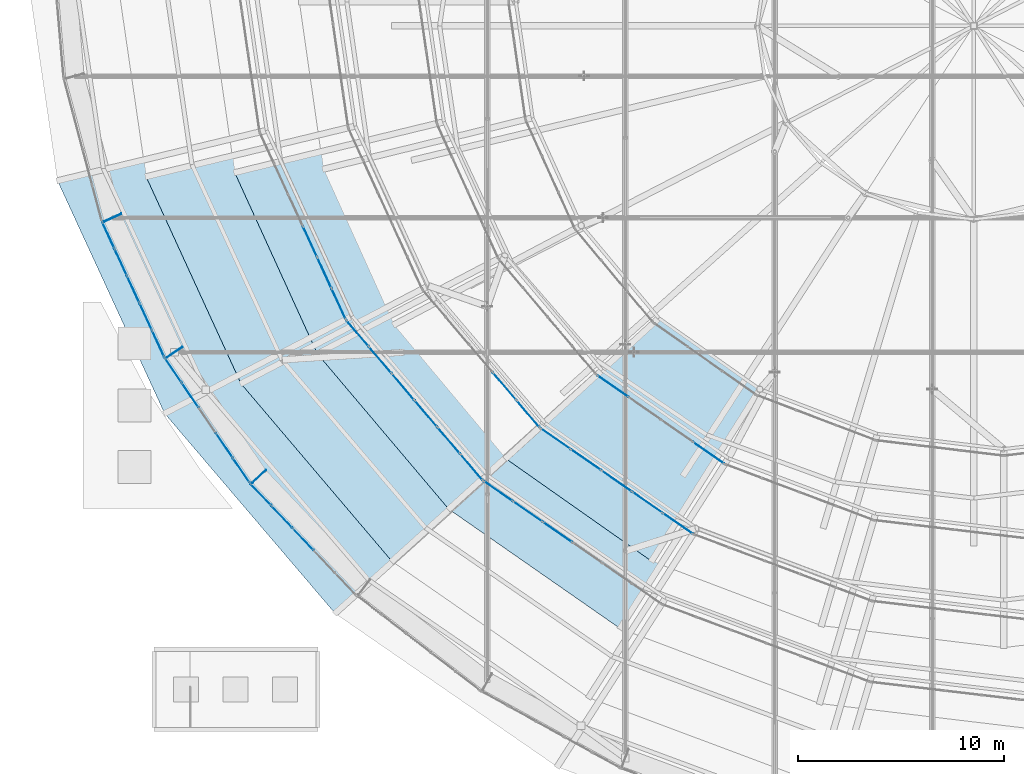
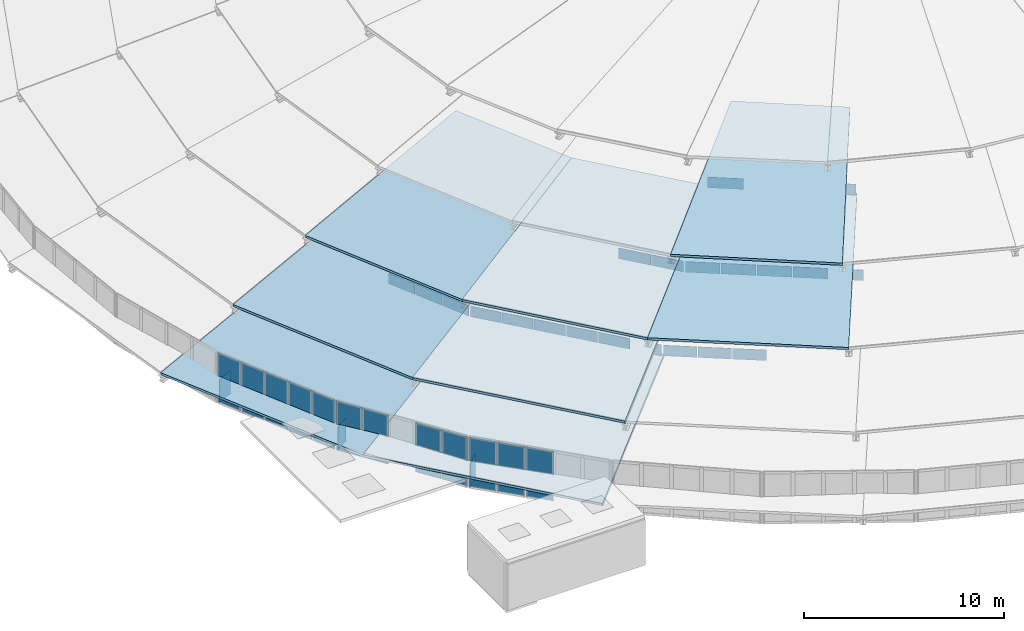
# One storey, part 142 of 173: 48 plates, 8 slabs, 13 elements without a shape of their own.
"""IFC4 building model written with IfcOpenShell, lengths in metres."""

from ifc_helpers import new_model, si_unit, direction, frame, origin, origin_2d, place, context, subcontext, project, spatial, polyline, rectangle, outline, extrude, material, layer, layer_set, type_object, element, aggregate, save


model = new_model("IFC4")

# Units and contexts
model_context = context("Model", 3, precision=1e-05, world=origin(), true_north=direction((0.0, 1.0)))
body_context = subcontext(model_context, "Body", "Model", "MODEL_VIEW")
ifc_project = project(units=[si_unit("LENGTHUNIT", "METRE"), si_unit("AREAUNIT", "SQUARE_METRE"), si_unit("VOLUMEUNIT", "CUBIC_METRE"), si_unit("PLANEANGLEUNIT", "RADIAN"), si_unit("MASSUNIT", "GRAM", prefix="KILO")], contexts=[model_context])

# Site, building, storey
site_placement = place(None, origin())
site = spatial("IfcSite", under=ifc_project, at=site_placement, CompositionType="ELEMENT")
building_placement = place(site_placement, origin())
building = spatial("IfcBuilding", under=site, at=building_placement, Name="Glasvene Arena", CompositionType="ELEMENT")
storey_placement = place(building_placement, frame((0.0, 0.0, 28.800048828125)))
storey = spatial("IfcBuildingStorey", under=building, at=storey_placement, Name="RF", CompositionType="ELEMENT", Elevation=28.800048828125)

# Curtain wall, plates
ifc_material_1 = material(Name="Low-emissivity laminated double glazing", Category="glass")
curtain_wall_type_1 = type_object("IfcCurtainWallType", Name="CW-PET1-1001x75", PredefinedType="USERDEFINED", material=ifc_material_1)
curtain_wall_1_placement = place(storey_placement, frame((51.575927734375, 63.242431640625, 0.0)))
curtain_wall_1 = element("IfcCurtainWall", 1, at=curtain_wall_1_placement, inside=storey, type_object=curtain_wall_type_1, Name="Petal ring 1-2 clerestory curtain wall 14", ObjectType="CURTAIN WALL", PredefinedType="USERDEFINED")
ifc_layer_1 = layer(ifc_material_1, 0.028076171875)
ifc_layer_set_1 = layer_set([ifc_layer_1], Name="Low-emissivity laminated double glazing")
plate_type_1 = type_object("IfcPlateType", Name="CW-GLZ-28", PredefinedType="CURTAIN_PANEL", material=ifc_layer_set_1)
plate_1_placement = place(storey_placement, frame((54.014892578125, 57.9384765625, 2.6298828125), z_axis=(0.0, 0.0, 1.0), x_axis=(0.41776127596, -0.908556831634, 0.0)))
plate_1 = element("IfcPlate", 2, at=plate_1_placement, type_object=plate_type_1, Name="CW-082 panel 4.1", PredefinedType="CURTAIN_PANEL", context=body_context, shape_type="SweptSolid", body=[
    extrude(rectangle(XDim=1.617919921875, YDim=0.028076171875, at=origin_2d()), origin(), (0.0, 0.0, 1.0), 0.64990234375),
])
plate_2_placement = place(storey_placement, frame((54.711669921875, 56.423095703125, 2.6298828125), z_axis=(0.0, 0.0, 1.0), x_axis=(0.41776127596, -0.908556831634, 0.0)))
plate_2 = element("IfcPlate", 3, at=plate_2_placement, type_object=plate_type_1, Name="CW-082 panel 5.1", PredefinedType="CURTAIN_PANEL", context=body_context, shape_type="SweptSolid", body=[
    extrude(rectangle(XDim=1.617919921875, YDim=0.028076171875, at=origin_2d()), origin(), (0.0, 0.0, 1.0), 0.64990234375),
])
plate_3_placement = place(storey_placement, frame((55.403076171875, 54.9189453125, 2.6298828125), z_axis=(0.0, 0.0, 1.0), x_axis=(0.41776127596, -0.908556831634, 0.0)))
plate_3 = element("IfcPlate", 4, at=plate_3_placement, type_object=plate_type_1, Name="CW-082 panel 6.1", PredefinedType="CURTAIN_PANEL", context=body_context, shape_type="SweptSolid", body=[
    extrude(rectangle(XDim=1.593017578125, YDim=0.028076171875, at=origin_2d()), origin(), (0.0, 0.0, 1.0), 0.64990234375),
])
aggregate(curtain_wall_1, [plate_1, plate_2, plate_3])

curtain_wall_type_2 = type_object("IfcCurtainWallType", Name="CW-PET1-1026x75", PredefinedType="USERDEFINED", material=ifc_material_1)
curtain_wall_2_placement = place(storey_placement, frame((55.7568359375, 54.14990234375, 0.0)))
curtain_wall_2 = element("IfcCurtainWall", 5, at=curtain_wall_2_placement, inside=storey, type_object=curtain_wall_type_2, Name="Petal ring 1-2 clerestory curtain wall 15", ObjectType="CURTAIN WALL", PredefinedType="USERDEFINED")
plate_4_placement = place(storey_placement, frame((56.319091796875, 53.48974609375, 2.6298828125), z_axis=(0.0, 0.0, 1.0), x_axis=(0.648445320272, -0.761261234149, 0.0)))
plate_4 = element("IfcPlate", 6, at=plate_4_placement, type_object=plate_type_1, Name="CW-083 panel 1.1", PredefinedType="CURTAIN_PANEL", context=body_context, shape_type="SweptSolid", body=[
    extrude(rectangle(XDim=1.634521484375, YDim=0.028076171875, at=origin_2d()), origin(), (0.0, 0.0, 1.0), 0.64990234375),
])
plate_5_placement = place(storey_placement, frame((57.41943359375, 52.197998046875, 2.6298828125), z_axis=(0.0, 0.0, 1.0), x_axis=(0.648445320272, -0.761261234149, 0.0)))
plate_5 = element("IfcPlate", 7, at=plate_5_placement, type_object=plate_type_1, Name="CW-083 panel 2.1", PredefinedType="CURTAIN_PANEL", context=body_context, shape_type="SweptSolid", body=[
    extrude(rectangle(XDim=1.659423828125, YDim=0.028076171875, at=origin_2d()), origin(), (0.0, 0.0, 1.0), 0.64990234375),
])
plate_6_placement = place(storey_placement, frame((58.528076171875, 50.896728515625, 2.6298828125), z_axis=(0.0, 0.0, 1.0), x_axis=(0.648445320272, -0.761261234149, 0.0)))
plate_6 = element("IfcPlate", 8, at=plate_6_placement, type_object=plate_type_1, Name="CW-083 panel 3.1", PredefinedType="CURTAIN_PANEL", context=body_context, shape_type="SweptSolid", body=[
    extrude(rectangle(XDim=1.659423828125, YDim=0.028076171875, at=origin_2d()), origin(), (0.0, 0.0, 1.0), 0.64990234375),
])
plate_7_placement = place(storey_placement, frame((59.636474609375, 49.595458984375, 2.6298828125), z_axis=(0.0, 0.0, 1.0), x_axis=(0.648445320272, -0.761261234149, 0.0)))
plate_7 = element("IfcPlate", 9, at=plate_7_placement, type_object=plate_type_1, Name="CW-083 panel 4.1", PredefinedType="CURTAIN_PANEL", context=body_context, shape_type="SweptSolid", body=[
    extrude(rectangle(XDim=1.659423828125, YDim=0.028076171875, at=origin_2d()), origin(), (0.0, 0.0, 1.0), 0.64990234375),
])
plate_8_placement = place(storey_placement, frame((60.744873046875, 48.294189453125, 2.6298828125), z_axis=(0.0, 0.0, 1.0), x_axis=(0.648445320272, -0.761261234149, 0.0)))
plate_8 = element("IfcPlate", 10, at=plate_8_placement, type_object=plate_type_1, Name="CW-083 panel 5.1", PredefinedType="CURTAIN_PANEL", context=body_context, shape_type="SweptSolid", body=[
    extrude(rectangle(XDim=1.659423828125, YDim=0.028076171875, at=origin_2d()), origin(), (0.0, 0.0, 1.0), 0.64990234375),
])
plate_9_placement = place(storey_placement, frame((61.84521484375, 47.002197265625, 2.6298828125), z_axis=(0.0, 0.0, 1.0), x_axis=(0.648445320272, -0.761261234149, 0.0)))
plate_9 = element("IfcPlate", 11, at=plate_9_placement, type_object=plate_type_1, Name="CW-083 panel 6.1", PredefinedType="CURTAIN_PANEL", context=body_context, shape_type="SweptSolid", body=[
    extrude(rectangle(XDim=1.634521484375, YDim=0.028076171875, at=origin_2d()), origin(), (0.0, 0.0, 1.0), 0.64990234375),
])
aggregate(curtain_wall_2, [plate_4, plate_5, plate_6, plate_7, plate_8, plate_9])

curtain_wall_type_3 = type_object("IfcCurtainWallType", Name="CW-PET1-1054x75", PredefinedType="USERDEFINED", material=ifc_material_1)
curtain_wall_3_placement = place(storey_placement, frame((62.40771484375, 46.342041015625, 0.0)))
curtain_wall_3 = element("IfcCurtainWall", 12, at=curtain_wall_3_placement, inside=storey, type_object=curtain_wall_type_3, Name="Petal ring 1-2 clerestory curtain wall 16", ObjectType="CURTAIN WALL", PredefinedType="USERDEFINED")
plate_10_placement = place(storey_placement, frame((63.14013671875, 45.835693359375, 2.6298828125), z_axis=(0.0, 0.0, 1.0), x_axis=(0.822600954666, -0.568619089886, 0.0)))
plate_10 = element("IfcPlate", 13, at=plate_10_placement, type_object=plate_type_1, Name="CW-084 panel 1.1", PredefinedType="CURTAIN_PANEL", context=body_context, shape_type="SweptSolid", body=[
    extrude(rectangle(XDim=1.68115234375, YDim=0.028076171875, at=origin_2d()), origin(), (0.0, 0.0, 1.0), 0.64990234375),
])
plate_11_placement = place(storey_placement, frame((64.574462890625, 44.84423828125, 2.6298828125), z_axis=(0.0, 0.0, 1.0), x_axis=(0.822600954666, -0.568619089886, 0.0)))
plate_11 = element("IfcPlate", 14, at=plate_11_placement, type_object=plate_type_1, Name="CW-084 panel 2.1", PredefinedType="CURTAIN_PANEL", context=body_context, shape_type="SweptSolid", body=[
    extrude(rectangle(XDim=1.7060546875, YDim=0.028076171875, at=origin_2d()), origin(), (0.0, 0.0, 1.0), 0.64990234375),
])
plate_12_placement = place(storey_placement, frame((66.01904296875, 43.845703125, 2.6298828125), z_axis=(0.0, 0.0, 1.0), x_axis=(0.822600954666, -0.568619089886, 0.0)))
plate_12 = element("IfcPlate", 15, at=plate_12_placement, type_object=plate_type_1, Name="CW-084 panel 3.1", PredefinedType="CURTAIN_PANEL", context=body_context, shape_type="SweptSolid", body=[
    extrude(rectangle(XDim=1.7060546875, YDim=0.028076171875, at=origin_2d()), origin(), (0.0, 0.0, 1.0), 0.64990234375),
])
aggregate(curtain_wall_3, [plate_10, plate_11, plate_12])

curtain_wall_type_4 = type_object("IfcCurtainWallType", Name="CW-PET2-882x75", PredefinedType="USERDEFINED", material=ifc_material_1)
curtain_wall_4_placement = place(storey_placement, frame((59.459716796875, 55.625, 0.0)))
curtain_wall_4 = element("IfcCurtainWall", 16, at=curtain_wall_4_placement, inside=storey, type_object=curtain_wall_type_4, Name="Petal ring 2-3 clerestory curtain wall 15", ObjectType="CURTAIN WALL", PredefinedType="USERDEFINED")
plate_13_placement = place(storey_placement, frame((63.453369140625, 50.920654296875, 5.22998046875), z_axis=(0.0, 0.0, 1.0), x_axis=(0.647166893632, -0.762348353305, 0.0)))
plate_13 = element("IfcPlate", 17, at=plate_13_placement, type_object=plate_type_1, Name="CW-089 panel 4.1", PredefinedType="CURTAIN_PANEL", context=body_context, shape_type="SweptSolid", body=[
    extrude(rectangle(XDim=1.713134765625, YDim=0.028076171875, at=origin_2d()), origin(), (0.0, 0.0, 1.0), 0.64990234375),
])
plate_14_placement = place(storey_placement, frame((64.586181640625, 49.5859375, 5.22998046875), z_axis=(0.0, 0.0, 1.0), x_axis=(0.647166893632, -0.762348353305, 0.0)))
plate_14 = element("IfcPlate", 18, at=plate_14_placement, type_object=plate_type_1, Name="CW-089 panel 5.1", PredefinedType="CURTAIN_PANEL", context=body_context, shape_type="SweptSolid", body=[
    extrude(rectangle(XDim=1.688232421875, YDim=0.028076171875, at=origin_2d()), origin(), (0.0, 0.0, 1.0), 0.64990234375),
])
aggregate(curtain_wall_4, [plate_13, plate_14])

curtain_wall_type_5 = type_object("IfcCurtainWallType", Name="CW-PET2-905x75", PredefinedType="USERDEFINED", material=ifc_material_1)
curtain_wall_5_placement = place(storey_placement, frame((65.164794921875, 48.904296875, 0.0)))
curtain_wall_5 = element("IfcCurtainWall", 19, at=curtain_wall_5_placement, inside=storey, type_object=curtain_wall_type_5, Name="Petal ring 2-3 clerestory curtain wall 16", ObjectType="CURTAIN WALL", PredefinedType="USERDEFINED")
plate_15_placement = place(storey_placement, frame((65.918701171875, 48.381591796875, 5.22998046875), z_axis=(0.0, 0.0, 1.0), x_axis=(0.821699335018, -0.569921225109, 0.0)))
plate_15 = element("IfcPlate", 20, at=plate_15_placement, type_object=plate_type_1, Name="CW-090 panel 1.1", PredefinedType="CURTAIN_PANEL", context=body_context, shape_type="SweptSolid", body=[
    extrude(rectangle(XDim=1.734619140625, YDim=0.028076171875, at=origin_2d()), origin(), (0.0, 0.0, 1.0), 0.64990234375),
])
plate_16_placement = place(storey_placement, frame((67.3955078125, 47.357421875, 5.22998046875), z_axis=(0.0, 0.0, 1.0), x_axis=(0.821699335018, -0.569921225109, 0.0)))
plate_16 = element("IfcPlate", 21, at=plate_16_placement, type_object=plate_type_1, Name="CW-090 panel 2.1", PredefinedType="CURTAIN_PANEL", context=body_context, shape_type="SweptSolid", body=[
    extrude(rectangle(XDim=1.759765625, YDim=0.028076171875, at=origin_2d()), origin(), (0.0, 0.0, 1.0), 0.64990234375),
])
plate_17_placement = place(storey_placement, frame((68.882568359375, 46.325927734375, 5.22998046875), z_axis=(0.0, 0.0, 1.0), x_axis=(0.821699335018, -0.569921225109, 0.0)))
plate_17 = element("IfcPlate", 22, at=plate_17_placement, type_object=plate_type_1, Name="CW-090 panel 3.1", PredefinedType="CURTAIN_PANEL", context=body_context, shape_type="SweptSolid", body=[
    extrude(rectangle(XDim=1.759765625, YDim=0.028076171875, at=origin_2d()), origin(), (0.0, 0.0, 1.0), 0.64990234375),
])
plate_18_placement = place(storey_placement, frame((70.369384765625, 45.294677734375, 5.22998046875), z_axis=(0.0, 0.0, 1.0), x_axis=(0.821699335018, -0.569921225109, 0.0)))
plate_18 = element("IfcPlate", 23, at=plate_18_placement, type_object=plate_type_1, Name="CW-090 panel 4.1", PredefinedType="CURTAIN_PANEL", context=body_context, shape_type="SweptSolid", body=[
    extrude(rectangle(XDim=1.759765625, YDim=0.028076171875, at=origin_2d()), origin(), (0.0, 0.0, 1.0), 0.64990234375),
])
plate_19_placement = place(storey_placement, frame((71.84619140625, 44.270263671875, 5.22998046875), z_axis=(0.0, 0.0, 1.0), x_axis=(0.821699335018, -0.569921225109, 0.0)))
plate_19 = element("IfcPlate", 24, at=plate_19_placement, type_object=plate_type_1, Name="CW-090 panel 5.1", PredefinedType="CURTAIN_PANEL", context=body_context, shape_type="SweptSolid", body=[
    extrude(rectangle(XDim=1.734619140625, YDim=0.028076171875, at=origin_2d()), origin(), (0.0, 0.0, 1.0), 0.64990234375),
])
aggregate(curtain_wall_5, [plate_15, plate_16, plate_17, plate_18, plate_19])

curtain_wall_type_6 = type_object("IfcCurtainWallType", Name="CW-PET3-756x75", PredefinedType="USERDEFINED", material=ifc_material_1)
curtain_wall_6_placement = place(storey_placement, frame((67.922119140625, 51.466796875, 0.0)))
curtain_wall_6 = element("IfcCurtainWall", 25, at=curtain_wall_6_placement, inside=storey, type_object=curtain_wall_type_6, Name="Petal ring 3-4 clerestory curtain wall 16", ObjectType="CURTAIN WALL", PredefinedType="USERDEFINED")
plate_20_placement = place(storey_placement, frame((68.707763671875, 50.919189453125, 7.8798828125), z_axis=(0.0, 0.0, 1.0), x_axis=(0.82043313701, -0.571742483725, 0.0)))
plate_20 = element("IfcPlate", 26, at=plate_20_placement, type_object=plate_type_1, Name="CW-096 panel 1.1", PredefinedType="CURTAIN_PANEL", context=body_context, shape_type="SweptSolid", body=[
    extrude(rectangle(XDim=1.815185546875, YDim=0.028076171875, at=origin_2d()), origin(), (0.0, 0.0, 1.0), 0.64990234375),
])
plate_21_placement = place(storey_placement, frame((73.33935546875, 47.691650390625, 7.8798828125), z_axis=(0.0, 0.0, 1.0), x_axis=(0.82043313701, -0.571742483725, 0.0)))
plate_21 = element("IfcPlate", 27, at=plate_21_placement, type_object=plate_type_1, Name="CW-096 panel 4.1", PredefinedType="CURTAIN_PANEL", context=body_context, shape_type="SweptSolid", body=[
    extrude(rectangle(XDim=1.815185546875, YDim=0.028076171875, at=origin_2d()), origin(), (0.0, 0.0, 1.0), 0.64990234375),
])
aggregate(curtain_wall_6, [plate_20, plate_21])

curtain_wall_type_7 = type_object("IfcCurtainWallType", Name="CW-DRUM-727x310", PredefinedType="USERDEFINED", material=ifc_material_1)
curtain_wall_7_placement = place(storey_placement, frame((43.924072265625, 58.92431640625, 0.0)))
curtain_wall_7 = element("IfcCurtainWall", 28, at=curtain_wall_7_placement, inside=storey, type_object=curtain_wall_type_7, Name="Crown compression-ring fascia curtain wall 23", ObjectType="CURTAIN WALL", PredefinedType="USERDEFINED")
ifc_material_2 = material(Name="Insulated shadow-box spandrel panel")
ifc_layer_2 = layer(ifc_material_2, 0.02392578125)
ifc_layer_set_2 = layer_set([ifc_layer_2], Name="Insulated shadow-box spandrel panel")
plate_type_2 = type_object("IfcPlateType", Name="CW-SPN-24", PredefinedType="CURTAIN_PANEL", material=ifc_layer_set_2)
plate_22_placement = place(storey_placement, frame((44.23291015625, 58.252685546875, -1.330078125), z_axis=(0.0, 0.0, 1.0), x_axis=(0.417660752738, -0.908603046232, 0.0)))
plate_22 = element("IfcPlate", 29, at=plate_22_placement, type_object=plate_type_2, Name="CW-073 panel 1.1", PredefinedType="CURTAIN_PANEL", context=body_context, shape_type="SweptSolid", body=[
    extrude(rectangle(XDim=1.378662109375, YDim=0.02392578125, at=origin_2d()), origin(), (0.0, 0.0, 1.0), 1.324951171875),
])
plate_23_placement = place(storey_placement, frame((44.23291015625, 58.252685546875, 0.044921875), z_axis=(0.0, 0.0, 1.0), x_axis=(0.417660752738, -0.908603046232, 0.0)))
plate_23 = element("IfcPlate", 30, at=plate_23_placement, type_object=plate_type_2, Name="CW-073 panel 1.2", PredefinedType="CURTAIN_PANEL", context=body_context, shape_type="SweptSolid", body=[
    extrude(rectangle(XDim=1.378662109375, YDim=0.02392578125, at=origin_2d()), origin(), (0.0, 0.0, 1.0), 1.625),
])
plate_24_placement = place(storey_placement, frame((44.834716796875, 56.943115234375, -1.330078125), z_axis=(0.0, 0.0, 1.0), x_axis=(0.417660752738, -0.908603046232, 0.0)))
plate_24 = element("IfcPlate", 31, at=plate_24_placement, type_object=plate_type_2, Name="CW-073 panel 2.1", PredefinedType="CURTAIN_PANEL", context=body_context, shape_type="SweptSolid", body=[
    extrude(rectangle(XDim=1.403564453125, YDim=0.02392578125, at=origin_2d()), origin(), (0.0, 0.0, 1.0), 1.324951171875),
])
plate_25_placement = place(storey_placement, frame((44.834716796875, 56.943115234375, 0.044921875), z_axis=(0.0, 0.0, 1.0), x_axis=(0.417660752738, -0.908603046232, 0.0)))
plate_25 = element("IfcPlate", 32, at=plate_25_placement, type_object=plate_type_2, Name="CW-073 panel 2.2", PredefinedType="CURTAIN_PANEL", context=body_context, shape_type="SweptSolid", body=[
    extrude(rectangle(XDim=1.403564453125, YDim=0.02392578125, at=origin_2d()), origin(), (0.0, 0.0, 1.0), 1.625),
])
plate_26_placement = place(storey_placement, frame((45.44189453125, 55.62255859375, -1.330078125), z_axis=(0.0, 0.0, 1.0), x_axis=(0.417660752738, -0.908603046232, 0.0)))
plate_26 = element("IfcPlate", 33, at=plate_26_placement, type_object=plate_type_2, Name="CW-073 panel 3.1", PredefinedType="CURTAIN_PANEL", context=body_context, shape_type="SweptSolid", body=[
    extrude(rectangle(XDim=1.403564453125, YDim=0.02392578125, at=origin_2d()), origin(), (0.0, 0.0, 1.0), 1.324951171875),
])
plate_27_placement = place(storey_placement, frame((45.44189453125, 55.62255859375, 0.044921875), z_axis=(0.0, 0.0, 1.0), x_axis=(0.417660752738, -0.908603046232, 0.0)))
plate_27 = element("IfcPlate", 34, at=plate_27_placement, type_object=plate_type_2, Name="CW-073 panel 3.2", PredefinedType="CURTAIN_PANEL", context=body_context, shape_type="SweptSolid", body=[
    extrude(rectangle(XDim=1.403564453125, YDim=0.02392578125, at=origin_2d()), origin(), (0.0, 0.0, 1.0), 1.625),
])
plate_28_placement = place(storey_placement, frame((46.048828125, 54.3017578125, -1.330078125), z_axis=(0.0, 0.0, 1.0), x_axis=(0.417660752738, -0.908603046232, 0.0)))
plate_28 = element("IfcPlate", 35, at=plate_28_placement, type_object=plate_type_2, Name="CW-073 panel 4.1", PredefinedType="CURTAIN_PANEL", context=body_context, shape_type="SweptSolid", body=[
    extrude(rectangle(XDim=1.403564453125, YDim=0.02392578125, at=origin_2d()), origin(), (0.0, 0.0, 1.0), 1.324951171875),
])
plate_29_placement = place(storey_placement, frame((46.048828125, 54.3017578125, 0.044921875), z_axis=(0.0, 0.0, 1.0), x_axis=(0.417660752738, -0.908603046232, 0.0)))
plate_29 = element("IfcPlate", 36, at=plate_29_placement, type_object=plate_type_2, Name="CW-073 panel 4.2", PredefinedType="CURTAIN_PANEL", context=body_context, shape_type="SweptSolid", body=[
    extrude(rectangle(XDim=1.403564453125, YDim=0.02392578125, at=origin_2d()), origin(), (0.0, 0.0, 1.0), 1.625),
])
plate_30_placement = place(storey_placement, frame((46.65087890625, 52.992431640625, -1.330078125), z_axis=(0.0, 0.0, 1.0), x_axis=(0.417660752738, -0.908603046232, 0.0)))
plate_30 = element("IfcPlate", 37, at=plate_30_placement, type_object=plate_type_2, Name="CW-073 panel 5.1", PredefinedType="CURTAIN_PANEL", context=body_context, shape_type="SweptSolid", body=[
    extrude(rectangle(XDim=1.378662109375, YDim=0.02392578125, at=origin_2d()), origin(), (0.0, 0.0, 1.0), 1.324951171875),
])
plate_31_placement = place(storey_placement, frame((46.65087890625, 52.992431640625, 0.044921875), z_axis=(0.0, 0.0, 1.0), x_axis=(0.417660752738, -0.908603046232, 0.0)))
plate_31 = element("IfcPlate", 38, at=plate_31_placement, type_object=plate_type_2, Name="CW-073 panel 5.2", PredefinedType="CURTAIN_PANEL", context=body_context, shape_type="SweptSolid", body=[
    extrude(rectangle(XDim=1.378662109375, YDim=0.02392578125, at=origin_2d()), origin(), (0.0, 0.0, 1.0), 1.625),
])
aggregate(curtain_wall_7, [plate_22, plate_23, plate_24, plate_25, plate_26, plate_27, plate_28, plate_29, plate_30, plate_31])

curtain_wall_type_8 = type_object("IfcCurtainWallType", Name="CW-DRUM-737x310", PredefinedType="USERDEFINED", material=ifc_material_1)
curtain_wall_8_placement = place(storey_placement, frame((46.959716796875, 52.32080078125, 0.0)))
curtain_wall_8 = element("IfcCurtainWall", 39, at=curtain_wall_8_placement, inside=storey, type_object=curtain_wall_type_8, Name="Crown compression-ring fascia curtain wall 24", ObjectType="CURTAIN WALL", PredefinedType="USERDEFINED")
plate_32_placement = place(storey_placement, frame((47.381103515625, 51.700927734375, -1.330078125), z_axis=(0.0, 0.0, 1.0), x_axis=(0.56235418457, -0.826896469394, 0.0)))
plate_32 = element("IfcPlate", 40, at=plate_32_placement, type_object=plate_type_2, Name="CW-074 panel 1.1", PredefinedType="CURTAIN_PANEL", context=body_context, shape_type="SweptSolid", body=[
    extrude(rectangle(XDim=1.39892578125, YDim=0.02392578125, at=origin_2d()), origin(), (0.0, 0.0, 1.0), 1.324951171875),
])
plate_33_placement = place(storey_placement, frame((47.381103515625, 51.700927734375, 0.044921875), z_axis=(0.0, 0.0, 1.0), x_axis=(0.56235418457, -0.826896469394, 0.0)))
plate_33 = element("IfcPlate", 41, at=plate_33_placement, type_object=plate_type_2, Name="CW-074 panel 1.2", PredefinedType="CURTAIN_PANEL", context=body_context, shape_type="SweptSolid", body=[
    extrude(rectangle(XDim=1.39892578125, YDim=0.02392578125, at=origin_2d()), origin(), (0.0, 0.0, 1.0), 1.625),
])
plate_34_placement = place(storey_placement, frame((48.202880859375, 50.492431640625, -1.330078125), z_axis=(0.0, 0.0, 1.0), x_axis=(0.56235418457, -0.826896469394, 0.0)))
plate_34 = element("IfcPlate", 42, at=plate_34_placement, type_object=plate_type_2, Name="CW-074 panel 2.1", PredefinedType="CURTAIN_PANEL", context=body_context, shape_type="SweptSolid", body=[
    extrude(rectangle(XDim=1.424072265625, YDim=0.02392578125, at=origin_2d()), origin(), (0.0, 0.0, 1.0), 1.324951171875),
])
plate_35_placement = place(storey_placement, frame((48.202880859375, 50.492431640625, 0.044921875), z_axis=(0.0, 0.0, 1.0), x_axis=(0.56235418457, -0.826896469394, 0.0)))
plate_35 = element("IfcPlate", 43, at=plate_35_placement, type_object=plate_type_2, Name="CW-074 panel 2.2", PredefinedType="CURTAIN_PANEL", context=body_context, shape_type="SweptSolid", body=[
    extrude(rectangle(XDim=1.424072265625, YDim=0.02392578125, at=origin_2d()), origin(), (0.0, 0.0, 1.0), 1.625),
])
plate_36_placement = place(storey_placement, frame((49.86083984375, 48.0546875, -1.330078125), z_axis=(0.0, 0.0, 1.0), x_axis=(0.56235418457, -0.826896469394, 0.0)))
plate_36 = element("IfcPlate", 44, at=plate_36_placement, type_object=plate_type_2, Name="CW-074 panel 4.1", PredefinedType="CURTAIN_PANEL", context=body_context, shape_type="SweptSolid", body=[
    extrude(rectangle(XDim=1.424072265625, YDim=0.02392578125, at=origin_2d()), origin(), (0.0, 0.0, 1.0), 1.324951171875),
])
plate_37_placement = place(storey_placement, frame((49.86083984375, 48.0546875, 0.044921875), z_axis=(0.0, 0.0, 1.0), x_axis=(0.56235418457, -0.826896469394, 0.0)))
plate_37 = element("IfcPlate", 45, at=plate_37_placement, type_object=plate_type_2, Name="CW-074 panel 4.2", PredefinedType="CURTAIN_PANEL", context=body_context, shape_type="SweptSolid", body=[
    extrude(rectangle(XDim=1.424072265625, YDim=0.02392578125, at=origin_2d()), origin(), (0.0, 0.0, 1.0), 1.625),
])
plate_38_placement = place(storey_placement, frame((50.6826171875, 46.84619140625, -1.330078125), z_axis=(0.0, 0.0, 1.0), x_axis=(0.56235418457, -0.826896469394, 0.0)))
plate_38 = element("IfcPlate", 46, at=plate_38_placement, type_object=plate_type_2, Name="CW-074 panel 5.1", PredefinedType="CURTAIN_PANEL", context=body_context, shape_type="SweptSolid", body=[
    extrude(rectangle(XDim=1.39892578125, YDim=0.02392578125, at=origin_2d()), origin(), (0.0, 0.0, 1.0), 1.324951171875),
])
plate_39_placement = place(storey_placement, frame((50.6826171875, 46.84619140625, 0.044921875), z_axis=(0.0, 0.0, 1.0), x_axis=(0.56235418457, -0.826896469394, 0.0)))
plate_39 = element("IfcPlate", 47, at=plate_39_placement, type_object=plate_type_2, Name="CW-074 panel 5.2", PredefinedType="CURTAIN_PANEL", context=body_context, shape_type="SweptSolid", body=[
    extrude(rectangle(XDim=1.39892578125, YDim=0.02392578125, at=origin_2d()), origin(), (0.0, 0.0, 1.0), 1.625),
])
aggregate(curtain_wall_8, [plate_32, plate_33, plate_34, plate_35, plate_36, plate_37, plate_38, plate_39])

curtain_wall_type_9 = type_object("IfcCurtainWallType", Name="CW-DRUM-749x310", PredefinedType="USERDEFINED", material=ifc_material_1)
curtain_wall_9_placement = place(storey_placement, frame((51.104248046875, 46.226318359375, 0.0)))
curtain_wall_9 = element("IfcCurtainWall", 48, at=curtain_wall_9_placement, inside=storey, type_object=curtain_wall_type_9, Name="Crown compression-ring fascia curtain wall 25", ObjectType="CURTAIN WALL", PredefinedType="USERDEFINED")
plate_40_placement = place(storey_placement, frame((51.6279296875, 45.673828125, -1.330078125), z_axis=(0.0, 0.0, 1.0), x_axis=(0.687924637344, -0.725782125252, 0.0)))
plate_40 = element("IfcPlate", 49, at=plate_40_placement, type_object=plate_type_2, Name="CW-075 panel 1.1", PredefinedType="CURTAIN_PANEL", context=body_context, shape_type="SweptSolid", body=[
    extrude(rectangle(XDim=1.422607421875, YDim=0.02392578125, at=origin_2d()), origin(), (0.0, 0.0, 1.0), 1.324951171875),
])
plate_41_placement = place(storey_placement, frame((51.6279296875, 45.673828125, 0.044921875), z_axis=(0.0, 0.0, 1.0), x_axis=(0.687924637344, -0.725782125252, 0.0)))
plate_41 = element("IfcPlate", 50, at=plate_41_placement, type_object=plate_type_2, Name="CW-075 panel 1.2", PredefinedType="CURTAIN_PANEL", context=body_context, shape_type="SweptSolid", body=[
    extrude(rectangle(XDim=1.422607421875, YDim=0.02392578125, at=origin_2d()), origin(), (0.0, 0.0, 1.0), 1.625),
])
plate_42_placement = place(storey_placement, frame((52.649658203125, 44.595947265625, -1.330078125), z_axis=(0.0, 0.0, 1.0), x_axis=(0.687924637344, -0.725782125252, 0.0)))
plate_42 = element("IfcPlate", 51, at=plate_42_placement, type_object=plate_type_2, Name="CW-075 panel 2.1", PredefinedType="CURTAIN_PANEL", context=body_context, shape_type="SweptSolid", body=[
    extrude(rectangle(XDim=1.44775390625, YDim=0.02392578125, at=origin_2d()), origin(), (0.0, 0.0, 1.0), 1.324951171875),
])
plate_43_placement = place(storey_placement, frame((52.649658203125, 44.595947265625, 0.044921875), z_axis=(0.0, 0.0, 1.0), x_axis=(0.687924637344, -0.725782125252, 0.0)))
plate_43 = element("IfcPlate", 52, at=plate_43_placement, type_object=plate_type_2, Name="CW-075 panel 2.2", PredefinedType="CURTAIN_PANEL", context=body_context, shape_type="SweptSolid", body=[
    extrude(rectangle(XDim=1.44775390625, YDim=0.02392578125, at=origin_2d()), origin(), (0.0, 0.0, 1.0), 1.625),
])
plate_44_placement = place(storey_placement, frame((53.679931640625, 43.5087890625, -1.330078125), z_axis=(0.0, 0.0, 1.0), x_axis=(0.687924637344, -0.725782125252, 0.0)))
plate_44 = element("IfcPlate", 53, at=plate_44_placement, type_object=plate_type_2, Name="CW-075 panel 3.1", PredefinedType="CURTAIN_PANEL", context=body_context, shape_type="SweptSolid", body=[
    extrude(rectangle(XDim=1.44775390625, YDim=0.02392578125, at=origin_2d()), origin(), (0.0, 0.0, 1.0), 1.324951171875),
])
plate_45_placement = place(storey_placement, frame((53.679931640625, 43.5087890625, 0.044921875), z_axis=(0.0, 0.0, 1.0), x_axis=(0.687924637344, -0.725782125252, 0.0)))
plate_45 = element("IfcPlate", 54, at=plate_45_placement, type_object=plate_type_2, Name="CW-075 panel 3.2", PredefinedType="CURTAIN_PANEL", context=body_context, shape_type="SweptSolid", body=[
    extrude(rectangle(XDim=1.44775390625, YDim=0.02392578125, at=origin_2d()), origin(), (0.0, 0.0, 1.0), 1.625),
])
aggregate(curtain_wall_9, [plate_40, plate_41, plate_42, plate_43, plate_44, plate_45])

# Plates
ifc_material_3 = material(Name="Steel S355J2", Category="steel")
ifc_layer_3 = layer(ifc_material_3, 0.035888671875)
ifc_layer_set_3 = layer_set([ifc_layer_3], Name="Steel S355J2")
plate_type_3 = type_object("IfcPlateType", Name="PL-CAP-36", PredefinedType="SHEET", material=ifc_layer_set_3)
for number, where, z_axis, x_axis, name in (
    (55, (44.447265625, 59.09423828125, -1.409912109375), (0.0, 0.0, 1.0), (0.418025632026, -0.908435232127, 0.0), "Ring beam node diaphragm cap plate ND-23"),
    (56, (47.44970703125, 52.5703125, -1.409912109375), (0.0, 0.0, 1.0), (0.562804927695, -0.826589749127, 0.0), "Ring beam node diaphragm cap plate ND-24"),
    (57, (51.54931640625, 46.5498046875, -1.409912109375), (0.0, 0.0, 1.0), (0.688354575694, -0.725374371012, 0.0), "Ring beam node diaphragm cap plate ND-25"),
):
    element("IfcPlate", number, at=place(storey_placement, frame(where, z_axis=z_axis, x_axis=x_axis)), inside=storey, type_object=plate_type_3, Name=name, PredefinedType="SHEET", context=body_context, shape_type="SweptSolid", body=[
        extrude(rectangle(XDim=0.035888671875, YDim=0.919921875, at=origin_2d()), origin(), (0.0, 0.0, 1.0), 1.419921875),
    ])

# Roof, slabs
ifc_material_4 = material(Name="Smooth matte white insulated roof panel")
ifc_layer_4 = layer(ifc_material_4, 0.179931640625)
ifc_layer_set_4 = layer_set([ifc_layer_4], Name="Smooth matte white insulated roof panel")
roof_type = type_object("IfcRoofType", Name="RF-PETAL-ASSY", PredefinedType="PAVILION_ROOF", material=ifc_layer_set_4)
roof_1_placement = place(storey_placement, frame((92.0, 73.0, 0.0)))
roof_1 = element("IfcRoof", 58, at=roof_1_placement, inside=storey, type_object=roof_type, Name="Shifted white elliptical petal roof ring 1", PredefinedType="PAVILION_ROOF")
ifc_material_5 = material(Name="Precast concrete C50/60", Category="concrete")
ifc_layer_5 = layer(ifc_material_5, 0.179931640625)
ifc_layer_set_5 = layer_set([ifc_layer_5], Name="Precast concrete C50/60")
slab_type = type_object("IfcSlabType", Name="SL-PETAL-180", PredefinedType="ROOF", material=ifc_layer_set_5)
slab_1_placement = place(storey_placement, frame((41.77197265625, 60.88720703125, 0.0), z_axis=(-0.21553515257, -0.099199737003, 0.971444290829), x_axis=(0.418088722447, -0.908406197778, -8.64003e-07)))
slab_1 = element("IfcSlab", 59, at=slab_1_placement, type_object=slab_type, Name="White petal roof slab ring 1 bay 14", PredefinedType="ROOF", context=body_context, shape_type="SweptSolid", body=[
    extrude(outline(polyline([(0.0, 0.0), (12.425177532204613, 0.0), (11.93487932988067, 10.536662521997842), (2.0185106374934465, 10.536581165941051), (0.0, 0.0)])), origin(), (0.0, 0.0, -1.0), 0.179931640625),
])
slab_2_placement = place(storey_placement, frame((46.966796875, 49.60009765625, 0.0), z_axis=(-0.184821301548, -0.157573849317, 0.970057507834), x_axis=(0.64878442939, -0.760972249285, -1.48321e-07)))
slab_2 = element("IfcSlab", 60, at=slab_2_placement, type_object=slab_type, Name="White petal roof slab ring 1 bay 15", PredefinedType="ROOF", context=body_context, shape_type="SweptSolid", body=[
    extrude(outline(polyline([(0.0, 0.0), (12.737161776082907, 0.0), (12.46918601935394, 10.293353925118693), (2.304083837361431, 10.293339939019024), (0.0, 0.0)])), origin(), (0.0, 0.0, -1.0), 0.179931640625),
])
aggregate(roof_1, [slab_1, slab_2])

roof_2_placement = place(storey_placement, frame((90.550048828125, 71.85009765625, 2.550048828125)))
roof_2 = element("IfcRoof", 61, at=roof_2_placement, inside=storey, type_object=roof_type, Name="Shifted white elliptical petal roof ring 2", PredefinedType="PAVILION_ROOF")
slab_3_placement = place(storey_placement, frame((46.069091796875, 61.0830078125, 2.550048828125), z_axis=(-0.219588004604, -0.100687221556, 0.970383012861), x_axis=(0.416797349798, -0.908999433003, -9.57291e-07)))
slab_3 = element("IfcSlab", 62, at=slab_3_placement, type_object=slab_type, Name="White petal roof slab ring 2 bay 14", PredefinedType="ROOF", context=body_context, shape_type="SweptSolid", body=[
    extrude(outline(polyline([(0.0, 0.0), (11.037364297245405, 0.0), (10.51631964566155, 10.555112442180507), (1.995529103780837, 10.555034937829078), (0.0, 0.0)])), origin(), (0.0, 0.0, -1.0), 0.179931640625),
])
slab_4_placement = place(storey_placement, frame((50.66943359375, 51.050048828125, 2.550048828125), z_axis=(-0.188294081076, -0.159941418204, 0.969001590182), x_axis=(0.647391469907, -0.762157650812, -6.12633e-07)))
slab_4 = element("IfcSlab", 63, at=slab_4_placement, type_object=slab_type, Name="White petal roof slab ring 2 bay 15", PredefinedType="ROOF", context=body_context, shape_type="SweptSolid", body=[
    extrude(outline(polyline([(0.0, 0.0), (11.304382372824216, 1.7763568394002505e-15), (10.998976721517987, 10.320846564715158), (2.2722318762568996, 10.320796892517912), (0.0, 0.0)])), origin(), (0.0, 0.0, -1.0), 0.179931640625),
])
aggregate(roof_2, [slab_3, slab_4])

roof_3_placement = place(storey_placement, frame((89.10009765625, 70.699951171875, 5.14990234375)))
roof_3 = element("IfcRoof", 64, at=roof_3_placement, inside=storey, type_object=roof_type, Name="Shifted white elliptical petal roof ring 3", PredefinedType="PAVILION_ROOF")
slab_5_placement = place(storey_placement, frame((50.366455078125, 61.279052734375, 5.14990234375), z_axis=(-0.223668976366, -0.102064939921, 0.969306420617), x_axis=(0.415124573992, -0.909764578364, -4.723484e-06)))
slab_5 = element("IfcSlab", 65, at=slab_5_placement, type_object=slab_type, Name="White petal roof slab ring 3 bay 14", PredefinedType="ROOF", context=body_context, shape_type="SweptSolid", body=[
    extrude(outline(polyline([(0.0, 0.0), (9.649801875841872, -8.881784197001252e-16), (9.089130521521676, 10.575877547862529), (1.9660140253600165, 10.57555529951595), (0.0, 0.0)])), origin(), (0.0, 0.0, -1.0), 0.179931640625),
])
slab_6_placement = place(storey_placement, frame((54.372314453125, 52.5, 5.14990234375), z_axis=(-0.191798850541, -0.162131350593, 0.96794970225), x_axis=(0.645575967213, -0.763696059014, 1.709756e-06)))
slab_6 = element("IfcSlab", 66, at=slab_6_placement, type_object=slab_type, Name="White petal roof slab ring 3 bay 15", PredefinedType="ROOF", context=body_context, shape_type="SweptSolid", body=[
    extrude(outline(polyline([(0.0, 0.0), (9.871494159781639, -8.881784197001252e-16), (9.51749893093738, 10.352945084473276), (2.23106425481254, 10.35306189336), (0.0, 0.0)])), origin(), (0.0, 0.0, -1.0), 0.179931640625),
])
slab_7_placement = place(storey_placement, frame((60.7451171875, 44.961181640625, 5.14990234375), z_axis=(-0.146935349015, -0.210957103203, 0.966388691893), x_axis=(0.820576792465, -0.571536287268, 2.170821e-06)))
slab_7 = element("IfcSlab", 67, at=slab_7_placement, type_object=slab_type, Name="White petal roof slab ring 3 bay 16", PredefinedType="ROOF", context=body_context, shape_type="SweptSolid", body=[
    extrude(outline(polyline([(0.0, 0.0), (10.12084228601146, -8.881784197001252e-16), (9.711329621992489, 10.1136692585126), (2.2404182638140377, 10.113817802744896), (0.0, 0.0)])), origin(), (0.0, 0.0, -1.0), 0.179931640625),
])
aggregate(roof_3, [slab_5, slab_6, slab_7])

# Roof, slab
roof_4_placement = place(storey_placement, frame((87.64990234375, 69.550048828125, 7.800048828125)))
roof_4 = element("IfcRoof", 68, at=roof_4_placement, inside=storey, type_object=roof_type, Name="Shifted white elliptical petal roof ring 4", PredefinedType="PAVILION_ROOF")
slab_8_placement = place(storey_placement, frame((63.502197265625, 47.41748046875, 7.800048828125), z_axis=(-0.149624969181, -0.21274827424, 0.965583005446), x_axis=(0.817969356064, -0.57526179478, 2.781342e-06)))
slab_8 = element("IfcSlab", 69, at=slab_8_placement, type_object=slab_type, Name="White petal roof slab ring 4 bay 16", PredefinedType="ROOF", context=body_context, shape_type="SweptSolid", body=[
    extrude(outline(polyline([(0.0, 0.0), (8.646717786133824, -8.881784197001252e-16), (8.146560576974279, 10.18811855323131), (2.1585124457024203, 10.188275050948157), (0.0, 0.0)])), origin(), (0.0, 0.0, -1.0), 0.179931640625),
])
aggregate(roof_4, [slab_8])

save(model, "model.ifc")
